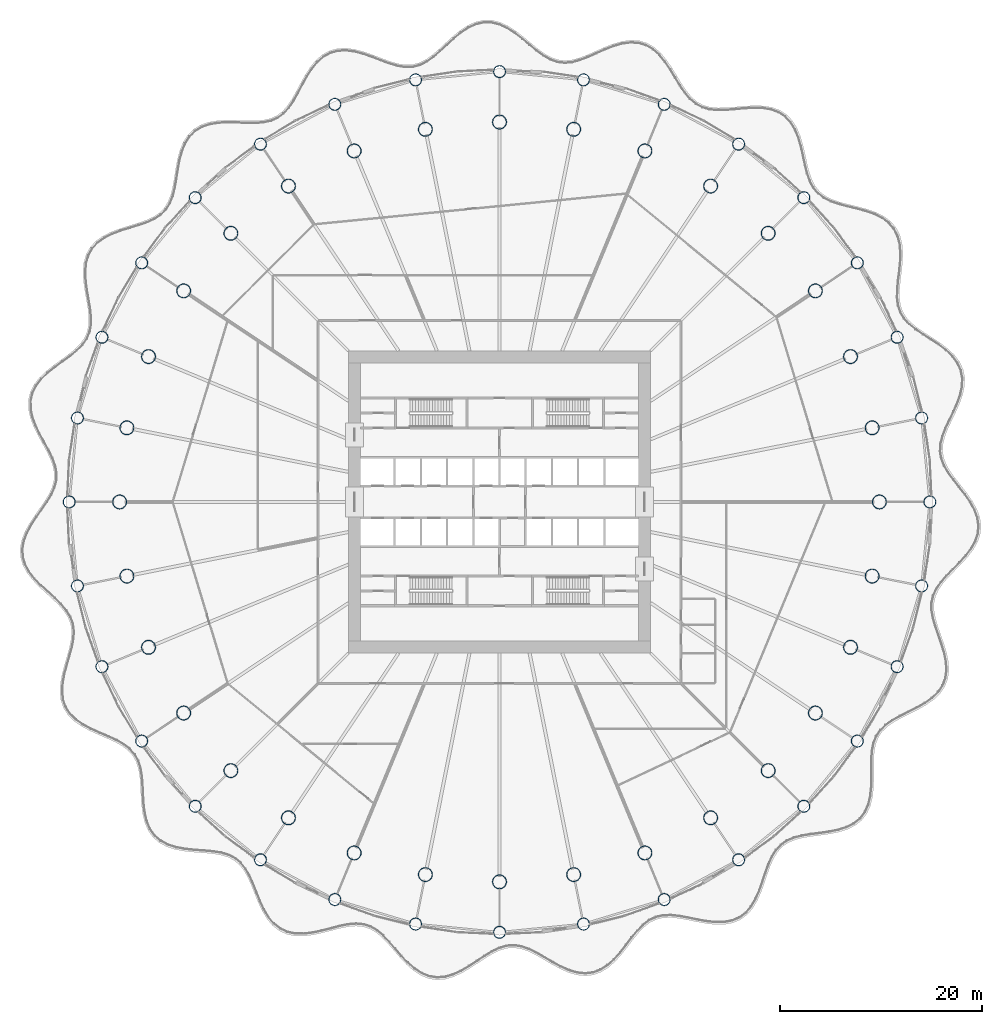
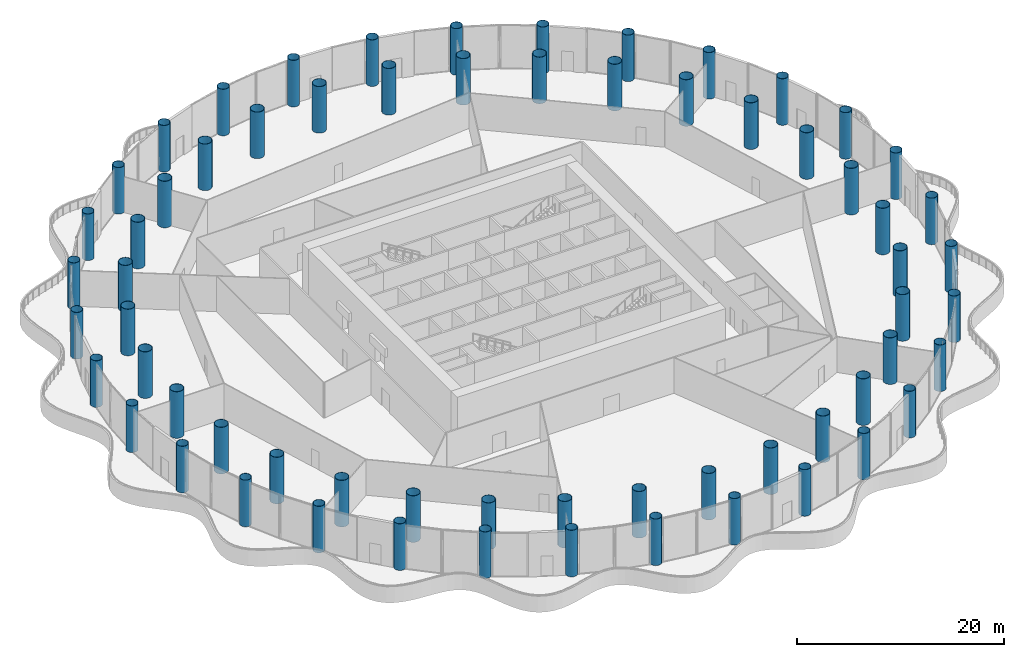
# One storey, part 1 of 37: 64 columns.
"""IFC4 building model written with IfcOpenShell, lengths in metres."""

import ifcopenshell
import ifcopenshell.guid

model = None  # the IFC model being written
_history = None  # IfcOwnerHistory: only IFC2X3 demands one
_inside = {}  # id of a spatial element -> (the spatial element, [elements in it])
_under = {}  # id of a project, library or spatial element -> (it, [spatial elements below it])
_declared = {}  # id of a project -> (the project, [libraries it declares])
_typed = {}  # id of a type object -> (the type object, [elements of that type])
_made_of = {}  # id of a material, layer set ... -> (it, [elements and type objects made of it])


def new_model(schema):
    """Start an empty IFC model of exactly this schema.

    Asked for "IFC4X3", IfcOpenShell would pick the latest addendum, in which some entities
    have other attributes; the version numbers below select the first issue.
    IFC2X3 requires an IfcOwnerHistory on every rooted entity: one is made here for all.
    """
    global model, _history
    if schema == "IFC4X3":
        model = ifcopenshell.file(schema_version=(4, 3, 0, 0))
    else:
        model = ifcopenshell.file(schema=schema)
    _inside.clear()
    _under.clear()
    _declared.clear()
    _typed.clear()
    _made_of.clear()
    _history = None
    if model.schema == "IFC2X3":
        org = make("IfcOrganization", Name="unknown")
        user = make(
            "IfcPersonAndOrganization",
            ThePerson=make("IfcPerson", FamilyName="unknown"),
            TheOrganization=org,
        )
        app = make(
            "IfcApplication",
            ApplicationDeveloper=org,
            Version="unknown",
            ApplicationFullName="unknown",
            ApplicationIdentifier="unknown",
        )
        _history = make(
            "IfcOwnerHistory",
            OwningUser=user,
            OwningApplication=app,
            ChangeAction="ADDED",
            CreationDate=0,
        )
    return model


def make(cls, **values):
    """One entity of the class cls with the attributes given. An attribute that is None is left unset."""
    return model.create_entity(
        cls, **{name: value for name, value in values.items() if value is not None}
    )


def rooted(cls, **values):
    """An entity with a GlobalId (a new one), such as an element, a storey or a relation."""
    return make(cls, GlobalId=ifcopenshell.guid.new(), OwnerHistory=_history, **values)


def si_unit(unit_type, name, prefix=None):
    """IfcSIUnit, for example si_unit("LENGTHUNIT", "METRE", prefix="MILLI")."""
    return make("IfcSIUnit", UnitType=unit_type, Prefix=prefix, Name=name)


def assignment(units):
    """IfcUnitAssignment: the units of a project."""
    return None if units is None else make("IfcUnitAssignment", Units=units)


def point(xyz):
    """IfcCartesianPoint."""
    return None if xyz is None else make("IfcCartesianPoint", Coordinates=xyz)


def direction(xyz):
    """IfcDirection."""
    return None if xyz is None else make("IfcDirection", DirectionRatios=xyz)


def frame(location, z_axis=None, x_axis=None):
    """IfcAxis2Placement3D, a coordinate frame: its origin and axes. An axis left out is left unset."""
    return make(
        "IfcAxis2Placement3D",
        Location=point(location),
        Axis=direction(z_axis),
        RefDirection=direction(x_axis),
    )


def frame_2d(location, x_axis=None):
    """IfcAxis2Placement2D, a coordinate frame in the plane: its origin and x axis."""
    return make(
        "IfcAxis2Placement2D", Location=point(location), RefDirection=direction(x_axis)
    )


def origin():
    """The frame at (0, 0, 0) with its axes left unset."""
    return frame((0.0, 0.0, 0.0))


def origin_2d():
    """The frame at (0, 0) in the plane with its x axis left unset."""
    return frame_2d((0.0, 0.0))


def place(relative_to, where):
    """IfcLocalPlacement: puts the frame where relative to a parent placement (None: the world)."""
    return make(
        "IfcLocalPlacement", PlacementRelTo=relative_to, RelativePlacement=where
    )


def context(
    kind, dimensions, precision=None, world=None, true_north=None, identifier=None
):
    """IfcGeometricRepresentationContext, for example the 3D "Model" context."""
    return make(
        "IfcGeometricRepresentationContext",
        ContextIdentifier=identifier,
        ContextType=kind,
        CoordinateSpaceDimension=dimensions,
        Precision=precision,
        WorldCoordinateSystem=world,
        TrueNorth=true_north,
    )


def subcontext(parent, identifier, kind, view, scale=None):
    """IfcGeometricRepresentationSubContext, for example "Body" below "Model"."""
    return make(
        "IfcGeometricRepresentationSubContext",
        ContextIdentifier=identifier,
        ContextType=kind,
        ParentContext=parent,
        TargetScale=scale,
        TargetView=view,
    )


def project(units=None, contexts=None):
    """IfcProject with its units and contexts."""
    return rooted(
        "IfcProject",
        Name="project",
        RepresentationContexts=contexts,
        UnitsInContext=assignment(units),
    )


def spatial(cls, under=None, at=None, **own):
    """A site, building, storey or space (cls), placed at a placement, below another one or the project."""
    s = rooted(cls, ObjectPlacement=at, **own)
    if under is not None:
        _under.setdefault(under.id(), (under, []))[1].append(s)
    return s


def profile(cls, at=None, kind="AREA", **sizes):
    """A parametric profile (cls). Its sizes go by their IFC names, for example OverallWidth=200.0."""
    return make(cls, ProfileType=kind, Position=at, **sizes)


def hollow_circle(**sizes):
    """IfcCircleHollowProfileDef."""
    return profile("IfcCircleHollowProfileDef", **sizes)


def extrude(swept, where, along, depth):
    """IfcExtrudedAreaSolid: the profile swept, set in the frame where, extruded along a direction by depth."""
    return make(
        "IfcExtrudedAreaSolid",
        SweptArea=swept,
        Position=where,
        ExtrudedDirection=direction(along),
        Depth=depth,
    )


def shape(context_of_items, identifier, shape_type, items):
    """IfcShapeRepresentation: the items that make up one representation, for example the "Body"."""
    return make(
        "IfcShapeRepresentation",
        ContextOfItems=context_of_items,
        RepresentationIdentifier=identifier,
        RepresentationType=shape_type,
        Items=items,
    )


def material(Name=None, Category=None):
    """IfcMaterial."""
    return make("IfcMaterial", Name=Name, Category=Category)


def material_profile(
    of_material, cross_section, Name=None, Category=None, Priority=None
):
    """IfcMaterialProfile: a cross section and its material."""
    return make(
        "IfcMaterialProfile",
        Name=Name,
        Material=of_material,
        Profile=cross_section,
        Priority=Priority,
        Category=Category,
    )


def profile_set(profiles, Name=None, composite=None):
    """IfcMaterialProfileSet."""
    return make(
        "IfcMaterialProfileSet",
        Name=Name,
        MaterialProfiles=profiles,
        CompositeProfile=composite,
    )


def made_of(thing, what):
    """Note that an element or type object is made of a material, layer set ...; save() writes the relation."""
    if what is not None:
        _made_of.setdefault(what.id(), (what, []))[1].append(thing)
    return thing


def type_object(cls, material=None, **own):
    """A type object (cls), such as IfcWallType, which elements share."""
    return made_of(rooted(cls, **own), material)


def element(
    cls,
    number,
    at=None,
    inside=None,
    cuts=None,
    type_object=None,
    material=None,
    context=None,
    identifier="Body",
    shape_type=None,
    held_by="IfcProductDefinitionShape",
    body=None,
    shapes=None,
    **own,
):
    """One element of the class cls, such as IfcWall. Its Tag is "e" and its number.

    at: its placement. inside: the storey or other place that contains it. cuts: it is an
    opening in that element (IfcRelVoidsElement). A single representation is given by context,
    identifier, shape_type and body (its items); several are given by shapes. held_by: the class
    of the entity that holds the representations. save() writes the other relations.
    """
    e = rooted(cls, Tag="e%d" % number, ObjectPlacement=at, **own)
    if body is not None:
        shapes = [shape(context, identifier, shape_type, body)]
    if shapes is not None:
        e.Representation = make(held_by, Representations=shapes)
    if inside is not None:
        _inside.setdefault(inside.id(), (inside, []))[1].append(e)
    if cuts is not None:
        rooted(
            "IfcRelVoidsElement", RelatingBuildingElement=cuts, RelatedOpeningElement=e
        )
    if type_object is not None:
        _typed.setdefault(type_object.id(), (type_object, []))[1].append(e)
    return made_of(e, material)


def aggregate(whole, parts):
    """IfcRelAggregates: a whole, such as a stair, and the parts it consists of."""
    return rooted("IfcRelAggregates", RelatingObject=whole, RelatedObjects=parts)


def save(model, path):
    """Write the relations noted so far, then the file.

    IfcRelAggregates (storeys below a building ...), IfcRelContainedInSpatialStructure (elements
    in a storey), IfcRelDefinesByType, IfcRelAssociatesMaterial and IfcRelDeclares: one each for
    every whole, place, type object, material and project.
    """
    for whole, parts in _under.values():
        aggregate(whole, parts)
    for where, things in _inside.values():
        rooted(
            "IfcRelContainedInSpatialStructure",
            RelatedElements=things,
            RelatingStructure=where,
        )
    for kind, things in _typed.values():
        rooted("IfcRelDefinesByType", RelatedObjects=things, RelatingType=kind)
    for what, things in _made_of.values():
        rooted("IfcRelAssociatesMaterial", RelatedObjects=things, RelatingMaterial=what)
    for by, libraries in _declared.values():
        rooted("IfcRelDeclares", RelatingContext=by, RelatedDefinitions=libraries)
    model.write(path)


model = new_model("IFC4")

# Units and contexts
model_context = context("Model", 3, precision=1e-05, world=origin(), true_north=direction((0.0, 1.0)))
body_context = subcontext(model_context, "Body", "Model", "MODEL_VIEW")
ifc_project = project(units=[si_unit("LENGTHUNIT", "METRE"), si_unit("AREAUNIT", "SQUARE_METRE"), si_unit("VOLUMEUNIT", "CUBIC_METRE"), si_unit("PLANEANGLEUNIT", "RADIAN"), si_unit("MASSUNIT", "GRAM", prefix="KILO")], contexts=[model_context])

# Site, building, storey
site_placement = place(None, origin())
site = spatial("IfcSite", under=ifc_project, at=site_placement, CompositionType="ELEMENT")
building_placement = place(site_placement, origin())
building = spatial("IfcBuilding", under=site, at=building_placement, Name="Corvane Civic Tower", CompositionType="ELEMENT")
storey_placement = place(building_placement, frame((0.0, 0.0, 11.5)))
storey = spatial("IfcBuildingStorey", under=building, at=storey_placement, Name="L02", CompositionType="ELEMENT", Elevation=11.5)

# Columns
ifc_material_1 = material(Name="Steel ASTM A572 Gr 50", Category="steel")
ifc_material_profile_1 = material_profile(ifc_material_1, hollow_circle(Radius=0.60009765625, WallThickness=0.035888671875, at=origin_2d()), Name="CHS1200X36")
ifc_profile_set_1 = profile_set([ifc_material_profile_1], Name="Steel ASTM A572 Gr 50")
column_type_1 = type_object("IfcColumnType", Name="COMPOSITE COLUMN CHS1200X36", PredefinedType="COLUMN", material=ifc_profile_set_1)
for number, where, z_axis, x_axis, name in (
    (1, (0.0, 42.699951171875, 0.0), (0.0, 0.0, 1.0), (1.0, 0.0, 0.0), "COL-L02-G01"),
    (2, (8.330322265625, 41.879638671875, 0.0), (0.0, 0.0, 1.0), (1.0, 0.0, 0.0), "COL-L02-G02"),
    (3, (16.340576171875, 39.44970703125, 0.0), (0.0, 0.0, 1.0), (1.0, 0.0, 0.0), "COL-L02-G03"),
    (4, (23.722900390625, 35.503662109375, 0.0), (0.0, 0.0, 1.0), (1.0, 0.0, 0.0), "COL-L02-G04"),
    (5, (30.193359375, 30.193359375, 0.0), (0.0, 0.0, 1.0), (1.0, 0.0, 0.0), "COL-L02-G05"),
    (6, (35.503662109375, 23.722900390625, 0.0), (0.0, 0.0, 1.0), (1.0, 0.0, 0.0), "COL-L02-G06"),
    (7, (39.44970703125, 16.340576171875, 0.0), (0.0, 0.0, 1.0), (1.0, 0.0, 0.0), "COL-L02-G07"),
    (8, (41.879638671875, 8.330322265625, 0.0), (0.0, 0.0, 1.0), (1.0, 0.0, 0.0), "COL-L02-G08"),
    (9, (42.699951171875, 0.0, 0.0), (0.0, 0.0, 1.0), (1.0, 0.0, 0.0), "COL-L02-G09"),
    (10, (41.879638671875, -8.330322265625, 0.0), (0.0, 0.0, 1.0), (1.0, 0.0, 0.0), "COL-L02-G10"),
    (11, (39.44970703125, -16.340576171875, 0.0), (0.0, 0.0, 1.0), (1.0, 0.0, 0.0), "COL-L02-G11"),
    (12, (35.503662109375, -23.722900390625, 0.0), (0.0, 0.0, 1.0), (1.0, 0.0, 0.0), "COL-L02-G12"),
    (13, (30.193359375, -30.193359375, 0.0), (0.0, 0.0, 1.0), (1.0, 0.0, 0.0), "COL-L02-G13"),
    (14, (23.722900390625, -35.503662109375, 0.0), (0.0, 0.0, 1.0), (1.0, 0.0, 0.0), "COL-L02-G14"),
    (15, (16.340576171875, -39.44970703125, 0.0), (0.0, 0.0, 1.0), (1.0, 0.0, 0.0), "COL-L02-G15"),
    (16, (8.330322265625, -41.879638671875, 0.0), (0.0, 0.0, 1.0), (1.0, 0.0, 0.0), "COL-L02-G16"),
    (17, (0.0, -42.699951171875, 0.0), (0.0, 0.0, 1.0), (1.0, 0.0, 0.0), "COL-L02-G17"),
    (18, (-8.330322265625, -41.879638671875, 0.0), (0.0, 0.0, 1.0), (1.0, 0.0, 0.0), "COL-L02-G18"),
    (19, (-16.340576171875, -39.44970703125, 0.0), (0.0, 0.0, 1.0), (1.0, 0.0, 0.0), "COL-L02-G19"),
    (20, (-23.722900390625, -35.503662109375, 0.0), (0.0, 0.0, 1.0), (1.0, 0.0, 0.0), "COL-L02-G20"),
    (21, (-30.193359375, -30.193359375, 0.0), (0.0, 0.0, 1.0), (1.0, 0.0, 0.0), "COL-L02-G21"),
    (22, (-35.503662109375, -23.722900390625, 0.0), (0.0, 0.0, 1.0), (1.0, 0.0, 0.0), "COL-L02-G22"),
    (23, (-39.44970703125, -16.340576171875, 0.0), (0.0, 0.0, 1.0), (1.0, 0.0, 0.0), "COL-L02-G23"),
    (24, (-41.879638671875, -8.330322265625, 0.0), (0.0, 0.0, 1.0), (1.0, 0.0, 0.0), "COL-L02-G24"),
    (25, (-42.699951171875, 0.0, 0.0), (0.0, 0.0, 1.0), (1.0, 0.0, 0.0), "COL-L02-G25"),
    (26, (-41.879638671875, 8.330322265625, 0.0), (0.0, 0.0, 1.0), (1.0, 0.0, 0.0), "COL-L02-G26"),
    (27, (-39.44970703125, 16.340576171875, 0.0), (0.0, 0.0, 1.0), (1.0, 0.0, 0.0), "COL-L02-G27"),
    (28, (-35.503662109375, 23.722900390625, 0.0), (0.0, 0.0, 1.0), (1.0, 0.0, 0.0), "COL-L02-G28"),
    (29, (-30.193359375, 30.193359375, 0.0), (0.0, 0.0, 1.0), (1.0, 0.0, 0.0), "COL-L02-G29"),
    (30, (-23.722900390625, 35.503662109375, 0.0), (0.0, 0.0, 1.0), (1.0, 0.0, 0.0), "COL-L02-G30"),
    (31, (-16.340576171875, 39.44970703125, 0.0), (0.0, 0.0, 1.0), (1.0, 0.0, 0.0), "COL-L02-G31"),
    (32, (-8.330322265625, 41.879638671875, 0.0), (0.0, 0.0, 1.0), (1.0, 0.0, 0.0), "COL-L02-G32"),
):
    element("IfcColumn", number, at=place(storey_placement, frame(where, z_axis=z_axis, x_axis=x_axis)), inside=storey, type_object=column_type_1, Name=name, PredefinedType="COLUMN", context=body_context, shape_type="SweptSolid", body=[
        extrude(hollow_circle(Radius=0.60009765625, WallThickness=0.035888671875, at=origin_2d()), origin(), (0.0, 0.0, 1.0), 5.5),
    ])
ifc_material_2 = material(Name="Steel ASTM A572 Gr 50", Category="steel")
ifc_material_profile_2 = material_profile(ifc_material_2, hollow_circle(Radius=0.699951171875, WallThickness=0.0400390625, at=origin_2d()), Name="CHS1400X40")
ifc_profile_set_2 = profile_set([ifc_material_profile_2], Name="Steel ASTM A572 Gr 50")
column_type_2 = type_object("IfcColumnType", Name="COMPOSITE COLUMN CHS1400X40", PredefinedType="COLUMN", material=ifc_profile_set_2)
for number, where, z_axis, x_axis, name in (
    (33, (0.0, 37.699951171875, 0.0), (0.0, 0.0, 1.0), (1.0, 0.0, 0.0), "COL-L02-A01"),
    (34, (7.35498046875, 36.9755859375, 0.0), (0.0, 0.0, 1.0), (1.0, 0.0, 0.0), "COL-L02-A02"),
    (35, (14.42724609375, 34.830322265625, 0.0), (0.0, 0.0, 1.0), (1.0, 0.0, 0.0), "COL-L02-A03"),
    (36, (20.945068359375, 31.346435546875, 0.0), (0.0, 0.0, 1.0), (1.0, 0.0, 0.0), "COL-L02-A04"),
    (37, (26.657958984375, 26.657958984375, 0.0), (0.0, 0.0, 1.0), (1.0, 0.0, 0.0), "COL-L02-A05"),
    (38, (31.346435546875, 20.945068359375, 0.0), (0.0, 0.0, 1.0), (1.0, 0.0, 0.0), "COL-L02-A06"),
    (39, (34.830322265625, 14.42724609375, 0.0), (0.0, 0.0, 1.0), (1.0, 0.0, 0.0), "COL-L02-A07"),
    (40, (36.9755859375, 7.35498046875, 0.0), (0.0, 0.0, 1.0), (1.0, 0.0, 0.0), "COL-L02-A08"),
    (41, (37.699951171875, 0.0, 0.0), (0.0, 0.0, 1.0), (1.0, 0.0, 0.0), "COL-L02-A09"),
    (42, (36.9755859375, -7.35498046875, 0.0), (0.0, 0.0, 1.0), (1.0, 0.0, 0.0), "COL-L02-A10"),
    (43, (34.830322265625, -14.42724609375, 0.0), (0.0, 0.0, 1.0), (1.0, 0.0, 0.0), "COL-L02-A11"),
    (44, (31.346435546875, -20.945068359375, 0.0), (0.0, 0.0, 1.0), (1.0, 0.0, 0.0), "COL-L02-A12"),
    (45, (26.657958984375, -26.657958984375, 0.0), (0.0, 0.0, 1.0), (1.0, 0.0, 0.0), "COL-L02-A13"),
    (46, (20.945068359375, -31.346435546875, 0.0), (0.0, 0.0, 1.0), (1.0, 0.0, 0.0), "COL-L02-A14"),
    (47, (14.42724609375, -34.830322265625, 0.0), (0.0, 0.0, 1.0), (1.0, 0.0, 0.0), "COL-L02-A15"),
    (48, (7.35498046875, -36.9755859375, 0.0), (0.0, 0.0, 1.0), (1.0, 0.0, 0.0), "COL-L02-A16"),
    (49, (0.0, -37.699951171875, 0.0), (0.0, 0.0, 1.0), (1.0, 0.0, 0.0), "COL-L02-A17"),
    (50, (-7.35498046875, -36.9755859375, 0.0), (0.0, 0.0, 1.0), (1.0, 0.0, 0.0), "COL-L02-A18"),
    (51, (-14.42724609375, -34.830322265625, 0.0), (0.0, 0.0, 1.0), (1.0, 0.0, 0.0), "COL-L02-A19"),
    (52, (-20.945068359375, -31.346435546875, 0.0), (0.0, 0.0, 1.0), (1.0, 0.0, 0.0), "COL-L02-A20"),
    (53, (-26.657958984375, -26.657958984375, 0.0), (0.0, 0.0, 1.0), (1.0, 0.0, 0.0), "COL-L02-A21"),
    (54, (-31.346435546875, -20.945068359375, 0.0), (0.0, 0.0, 1.0), (1.0, 0.0, 0.0), "COL-L02-A22"),
    (55, (-34.830322265625, -14.42724609375, 0.0), (0.0, 0.0, 1.0), (1.0, 0.0, 0.0), "COL-L02-A23"),
    (56, (-36.9755859375, -7.35498046875, 0.0), (0.0, 0.0, 1.0), (1.0, 0.0, 0.0), "COL-L02-A24"),
    (57, (-37.699951171875, 0.0, 0.0), (0.0, 0.0, 1.0), (1.0, 0.0, 0.0), "COL-L02-A25"),
    (58, (-36.9755859375, 7.35498046875, 0.0), (0.0, 0.0, 1.0), (1.0, 0.0, 0.0), "COL-L02-A26"),
    (59, (-34.830322265625, 14.42724609375, 0.0), (0.0, 0.0, 1.0), (1.0, 0.0, 0.0), "COL-L02-A27"),
    (60, (-31.346435546875, 20.945068359375, 0.0), (0.0, 0.0, 1.0), (1.0, 0.0, 0.0), "COL-L02-A28"),
    (61, (-26.657958984375, 26.657958984375, 0.0), (0.0, 0.0, 1.0), (1.0, 0.0, 0.0), "COL-L02-A29"),
    (62, (-20.945068359375, 31.346435546875, 0.0), (0.0, 0.0, 1.0), (1.0, 0.0, 0.0), "COL-L02-A30"),
    (63, (-14.42724609375, 34.830322265625, 0.0), (0.0, 0.0, 1.0), (1.0, 0.0, 0.0), "COL-L02-A31"),
    (64, (-7.35498046875, 36.9755859375, 0.0), (0.0, 0.0, 1.0), (1.0, 0.0, 0.0), "COL-L02-A32"),
):
    element("IfcColumn", number, at=place(storey_placement, frame(where, z_axis=z_axis, x_axis=x_axis)), inside=storey, type_object=column_type_2, Name=name, PredefinedType="COLUMN", context=body_context, shape_type="SweptSolid", body=[
        extrude(hollow_circle(Radius=0.699951171875, WallThickness=0.0400390625, at=origin_2d()), origin(), (0.0, 0.0, 1.0), 5.5),
    ])

save(model, "model.ifc")
